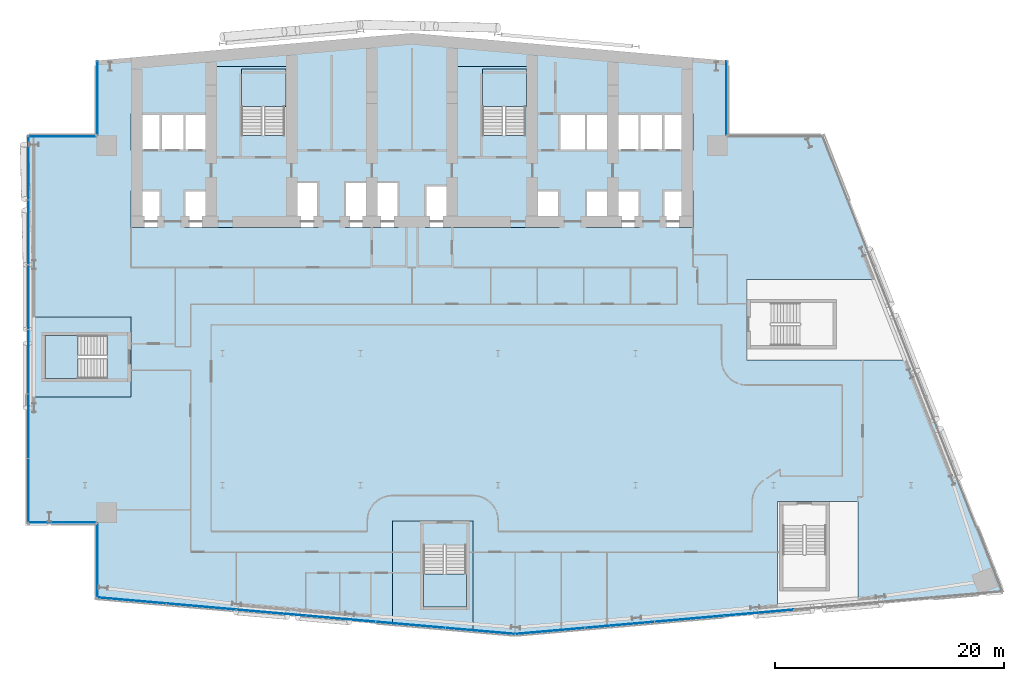
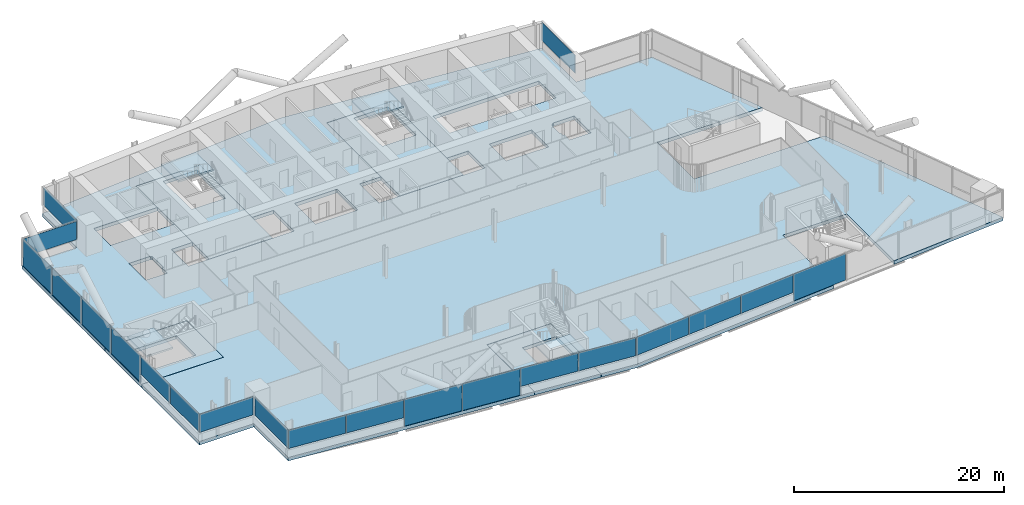
# One storey, part 12 of 31: 21 plates, 9 slabs, 12 elements without a shape of their own.
"""IFC4 building model written with IfcOpenShell, lengths in metres."""

from ifc_helpers import new_model, si_unit, direction, frame, origin, origin_2d, place, context, subcontext, project, spatial, polyline, rectangle, outline, extrude, material, layer, layer_set, type_object, element, aggregate, save


model = new_model("IFC4")

# Units and contexts
model_context = context("Model", 3, precision=1e-05, world=origin(), true_north=direction((0.0, 1.0)))
body_context = subcontext(model_context, "Body", "Model", "MODEL_VIEW")
ifc_project = project(units=[si_unit("LENGTHUNIT", "METRE"), si_unit("AREAUNIT", "SQUARE_METRE"), si_unit("VOLUMEUNIT", "CUBIC_METRE"), si_unit("PLANEANGLEUNIT", "RADIAN"), si_unit("MASSUNIT", "GRAM", prefix="KILO")], contexts=[model_context])

# Site, building, storey
site_placement = place(None, origin())
site = spatial("IfcSite", under=ifc_project, at=site_placement, CompositionType="ELEMENT")
building_placement = place(site_placement, origin())
building = spatial("IfcBuilding", under=site, at=building_placement, Name="Wharfspan Tower", CompositionType="ELEMENT")
storey_placement = place(building_placement, frame((0.0, 0.0, 103.899902)))
storey = spatial("IfcBuildingStorey", under=building, at=storey_placement, Name="L23", CompositionType="ELEMENT", Elevation=103.899902)

# Curtain wall, plates
ifc_material_1 = material(Name="Aluminium 6063-T6", Category="aluminium")
curtain_wall_type_1 = type_object("IfcCurtainWallType", Name="CURTAIN WALL FACETED FRONT", PredefinedType="NOTDEFINED", material=ifc_material_1)
curtain_wall_1_placement = place(storey_placement, origin())
curtain_wall_1 = element("IfcCurtainWall", 1, at=curtain_wall_1_placement, inside=storey, type_object=curtain_wall_type_1, Name="Curtain wall S1", PredefinedType="NOTDEFINED")
ifc_material_2 = material(Name="Glass clear low-iron double glazing", Category="glass")
ifc_layer_1 = layer(ifc_material_2, 0.040039)
ifc_layer_set_1 = layer_set([ifc_layer_1], Name="Glass clear low-iron double glazing")
plate_type_1 = type_object("IfcPlateType", Name="GLASS PANEL FACETED FRONT 40", PredefinedType="CURTAIN_PANEL", material=ifc_layer_set_1)
plate_1_placement = place(storey_placement, frame((16.061768, 1.467529, 1.0), z_axis=(0.0, 0.0, 1.0), x_axis=(0.996198, -0.087156, 0.0)))
plate_1 = element("IfcPlate", 2, at=plate_1_placement, type_object=plate_type_1, Name="Curtain wall S1 panel 1", PredefinedType="CURTAIN_PANEL", context=body_context, shape_type="SweptSolid", body=[
    extrude(rectangle(XDim=6.016602, YDim=0.040039, at=origin_2d()), origin(), (0.0, 0.0, 1.0), 2.120117),
])
plate_2_placement = place(storey_placement, frame((22.130127, 0.936523, 1.0), z_axis=(0.0, 0.0, 1.0), x_axis=(0.996198, -0.087156, 0.0)))
plate_2 = element("IfcPlate", 3, at=plate_2_placement, type_object=plate_type_1, Name="Curtain wall S1 panel 2", PredefinedType="CURTAIN_PANEL", context=body_context, shape_type="SweptSolid", body=[
    extrude(rectangle(XDim=6.046631, YDim=0.040039, at=origin_2d()), origin(), (0.0, 0.0, 1.0), 2.120117),
])
plate_3_placement = place(storey_placement, frame((40.380127, -0.660156, 1.0), z_axis=(0.0, 0.0, 1.0), x_axis=(0.996198, -0.087156, 0.0)))
plate_3 = element("IfcPlate", 4, at=plate_3_placement, type_object=plate_type_1, Name="Curtain wall S1 panel 5", PredefinedType="CURTAIN_PANEL", context=body_context, shape_type="SweptSolid", body=[
    extrude(rectangle(XDim=6.046631, YDim=0.040039, at=origin_2d()), origin(), (0.0, 0.0, 1.0), 2.120117),
])
plate_4_placement = place(storey_placement, frame((46.44873, -1.191162, 1.0), z_axis=(0.0, 0.0, 1.0), x_axis=(0.996198, -0.087156, 0.0)))
plate_4 = element("IfcPlate", 5, at=plate_4_placement, type_object=plate_type_1, Name="Curtain wall S1 panel 6", PredefinedType="CURTAIN_PANEL", context=body_context, shape_type="SweptSolid", body=[
    extrude(rectangle(XDim=6.016602, YDim=0.040039, at=origin_2d()), origin(), (0.0, 0.0, 1.0), 2.120117),
])

curtain_wall_2_placement = place(storey_placement, origin())
curtain_wall_2 = element("IfcCurtainWall", 6, at=curtain_wall_2_placement, inside=storey, type_object=curtain_wall_type_1, Name="Curtain wall S2", PredefinedType="NOTDEFINED")
plate_5_placement = place(storey_placement, frame((52.54541, -1.19165, 1.0), z_axis=(0.0, 0.0, 1.0), x_axis=(0.996198, 0.087156, 0.0)))
plate_5 = element("IfcPlate", 7, at=plate_5_placement, type_object=plate_type_1, Name="Curtain wall S2 panel 1", PredefinedType="CURTAIN_PANEL", context=body_context, shape_type="SweptSolid", body=[
    extrude(rectangle(XDim=6.004639, YDim=0.040039, at=origin_2d()), origin(), (0.0, 0.0, 1.0), 2.120117),
])
plate_6_placement = place(storey_placement, frame((58.601807, -0.661621, 1.0), z_axis=(0.0, 0.0, 1.0), x_axis=(0.996198, 0.087156, 0.0)))
plate_6 = element("IfcPlate", 8, at=plate_6_placement, type_object=plate_type_1, Name="Curtain wall S2 panel 2", PredefinedType="CURTAIN_PANEL", context=body_context, shape_type="SweptSolid", body=[
    extrude(rectangle(XDim=6.034668, YDim=0.040039, at=origin_2d()), origin(), (0.0, 0.0, 1.0), 2.120117),
])
plate_7_placement = place(storey_placement, frame((64.67334, -0.130615, 1.0), z_axis=(0.0, 0.0, 1.0), x_axis=(0.996198, 0.087156, 0.0)))
plate_7 = element("IfcPlate", 9, at=plate_7_placement, type_object=plate_type_1, Name="Curtain wall S2 panel 3", PredefinedType="CURTAIN_PANEL", context=body_context, shape_type="SweptSolid", body=[
    extrude(rectangle(XDim=6.034668, YDim=0.040039, at=origin_2d()), origin(), (0.0, 0.0, 1.0), 2.120117),
])

# Curtain wall, plate
curtain_wall_type_2 = type_object("IfcCurtainWallType", Name="CURTAIN WALL PROW AND END", PredefinedType="NOTDEFINED", material=ifc_material_1)
curtain_wall_3_placement = place(storey_placement, origin())
curtain_wall_3 = element("IfcCurtainWall", 10, at=curtain_wall_3_placement, inside=storey, type_object=curtain_wall_type_2, Name="Curtain wall NRE-V", PredefinedType="NOTDEFINED")
ifc_layer_2 = layer(ifc_material_2, 0.040039)
ifc_layer_set_2 = layer_set([ifc_layer_2], Name="Glass clear low-iron double glazing")
plate_type_2 = type_object("IfcPlateType", Name="GLASS PANEL PROW AND END 40", PredefinedType="CURTAIN_PANEL", material=ifc_layer_set_2)
plate_8_placement = place(storey_placement, frame((67.919922, 45.262451, 1.0), z_axis=(0.0, 0.0, 1.0), x_axis=(0.0, 1.0, 0.0)))
plate_8 = element("IfcPlate", 11, at=plate_8_placement, type_object=plate_type_2, Name="Curtain wall NRE-V panel 1", PredefinedType="CURTAIN_PANEL", context=body_context, shape_type="SweptSolid", body=[
    extrude(rectangle(XDim=6.405029, YDim=0.040039, at=origin_2d()), origin(), (0.0, 0.0, 1.0), 2.120117),
])
aggregate(curtain_wall_3, [plate_8])

curtain_wall_4_placement = place(storey_placement, origin())
curtain_wall_4 = element("IfcCurtainWall", 12, at=curtain_wall_4_placement, inside=storey, type_object=curtain_wall_type_2, Name="Curtain wall NRW-V", PredefinedType="NOTDEFINED")
plate_9_placement = place(storey_placement, frame((13.080078, 45.262451, 1.0), z_axis=(0.0, 0.0, 1.0), x_axis=(0.0, -1.0, 0.0)))
plate_9 = element("IfcPlate", 13, at=plate_9_placement, type_object=plate_type_2, Name="Curtain wall NRW-V panel 1", PredefinedType="CURTAIN_PANEL", context=body_context, shape_type="SweptSolid", body=[
    extrude(rectangle(XDim=6.405029, YDim=0.040039, at=origin_2d()), origin(), (0.0, 0.0, 1.0), 2.120117),
])
aggregate(curtain_wall_4, [plate_9])

curtain_wall_5_placement = place(storey_placement, origin())
curtain_wall_5 = element("IfcCurtainWall", 14, at=curtain_wall_5_placement, inside=storey, type_object=curtain_wall_type_2, Name="Curtain wall NRW-H", PredefinedType="NOTDEFINED")
plate_10_placement = place(storey_placement, frame((10.0, 41.919922, 1.0), z_axis=(0.0, 0.0, 1.0), x_axis=(-1.0, 0.0, 0.0)))
plate_10 = element("IfcPlate", 15, at=plate_10_placement, type_object=plate_type_2, Name="Curtain wall NRW-H panel 1", PredefinedType="CURTAIN_PANEL", context=body_context, shape_type="SweptSolid", body=[
    extrude(rectangle(XDim=5.879883, YDim=0.040039, at=origin_2d()), origin(), (0.0, 0.0, 1.0), 2.120117),
])
aggregate(curtain_wall_5, [plate_10])

# Curtain wall, plates
curtain_wall_6_placement = place(storey_placement, origin())
curtain_wall_6 = element("IfcCurtainWall", 16, at=curtain_wall_6_placement, inside=storey, type_object=curtain_wall_type_2, Name="Curtain wall W", PredefinedType="NOTDEFINED")
plate_11_placement = place(storey_placement, frame((7.080078, 16.649902, 1.0), z_axis=(0.0, 0.0, 1.0), x_axis=(0.0, -1.0, 0.0)))
plate_11 = element("IfcPlate", 17, at=plate_11_placement, type_object=plate_type_2, Name="Curtain wall W panel 5", PredefinedType="CURTAIN_PANEL", context=body_context, shape_type="SweptSolid", body=[
    extrude(rectangle(XDim=5.573242, YDim=0.040039, at=origin_2d()), origin(), (0.0, 0.0, 1.0), 2.120117),
])
plate_12_placement = place(storey_placement, frame((7.080078, 11.031738, 1.0), z_axis=(0.0, 0.0, 1.0), x_axis=(0.0, -1.0, 0.0)))
plate_12 = element("IfcPlate", 18, at=plate_12_placement, type_object=plate_type_2, Name="Curtain wall W panel 6", PredefinedType="CURTAIN_PANEL", context=body_context, shape_type="SweptSolid", body=[
    extrude(rectangle(XDim=5.543213, YDim=0.040039, at=origin_2d()), origin(), (0.0, 0.0, 1.0), 2.120117),
])

# Curtain wall, plate
curtain_wall_7_placement = place(storey_placement, origin())
curtain_wall_7 = element("IfcCurtainWall", 19, at=curtain_wall_7_placement, inside=storey, type_object=curtain_wall_type_2, Name="Curtain wall NFW-H", PredefinedType="NOTDEFINED")
plate_13_placement = place(storey_placement, frame((10.0, 8.280029, 1.0), z_axis=(0.0, 0.0, 1.0), x_axis=(1.0, 0.0, 0.0)))
plate_13 = element("IfcPlate", 20, at=plate_13_placement, type_object=plate_type_2, Name="Curtain wall NFW-H panel 1", PredefinedType="CURTAIN_PANEL", context=body_context, shape_type="SweptSolid", body=[
    extrude(rectangle(XDim=5.879883, YDim=0.040039, at=origin_2d()), origin(), (0.0, 0.0, 1.0), 2.120117),
])
aggregate(curtain_wall_7, [plate_13])

curtain_wall_8_placement = place(storey_placement, origin())
curtain_wall_8 = element("IfcCurtainWall", 21, at=curtain_wall_8_placement, inside=storey, type_object=curtain_wall_type_2, Name="Curtain wall NFW-V", PredefinedType="NOTDEFINED")
plate_14_placement = place(storey_placement, frame((13.080078, 4.9375, 1.0), z_axis=(0.0, 0.0, 1.0), x_axis=(0.0, -1.0, 0.0)))
plate_14 = element("IfcPlate", 22, at=plate_14_placement, type_object=plate_type_2, Name="Curtain wall NFW-V panel 1", PredefinedType="CURTAIN_PANEL", context=body_context, shape_type="SweptSolid", body=[
    extrude(rectangle(XDim=6.405029, YDim=0.040039, at=origin_2d()), origin(), (0.0, 0.0, 1.0), 2.120117),
])
aggregate(curtain_wall_8, [plate_14])

# Plate
ifc_material_3 = material(Name="Aluminium composite opaque insulated panel", Category="aluminium")
ifc_layer_3 = layer(ifc_material_3, 0.040039)
ifc_layer_set_3 = layer_set([ifc_layer_3], Name="Aluminium composite opaque insulated panel")
plate_type_3 = type_object("IfcPlateType", Name="INFILL PANEL FACETED FRONT OPAQUE 40", PredefinedType="SHEET", material=ifc_layer_set_3)
plate_15_placement = place(storey_placement, frame((28.213623, 0.404297, 0.0), z_axis=(0.0, 0.0, 1.0), x_axis=(0.996198, -0.087156, 0.0)))
plate_15 = element("IfcPlate", 23, at=plate_15_placement, type_object=plate_type_3, Name="Curtain wall S1 panel 3", PredefinedType="SHEET", context=body_context, shape_type="SweptSolid", body=[
    extrude(rectangle(XDim=6.046631, YDim=0.040039, at=origin_2d()), origin(), (0.0, 0.0, 1.0), 3.120117),
])

plate_16_placement = place(storey_placement, frame((34.296875, -0.12793, 0.0), z_axis=(0.0, 0.0, 1.0), x_axis=(0.996198, -0.087156, 0.0)))
plate_16 = element("IfcPlate", 24, at=plate_16_placement, type_object=plate_type_3, Name="Curtain wall S1 panel 4", PredefinedType="SHEET", context=body_context, shape_type="SweptSolid", body=[
    extrude(rectangle(XDim=6.046631, YDim=0.040039, at=origin_2d()), origin(), (0.0, 0.0, 1.0), 3.120117),
])

aggregate(curtain_wall_1, [plate_1, plate_2, plate_15, plate_16, plate_3, plate_4])

plate_17_placement = place(storey_placement, frame((70.744873, 0.400635, 0.0), z_axis=(0.0, 0.0, 1.0), x_axis=(0.996198, 0.087156, 0.0)))
plate_17 = element("IfcPlate", 25, at=plate_17_placement, type_object=plate_type_3, Name="Curtain wall S2 panel 4", PredefinedType="SHEET", context=body_context, shape_type="SweptSolid", body=[
    extrude(rectangle(XDim=6.034668, YDim=0.040039, at=origin_2d()), origin(), (0.0, 0.0, 1.0), 3.120117),
])

aggregate(curtain_wall_2, [plate_5, plate_6, plate_7, plate_17])

ifc_layer_4 = layer(ifc_material_3, 0.040039)
ifc_layer_set_4 = layer_set([ifc_layer_4], Name="Aluminium composite opaque insulated panel")
plate_type_4 = type_object("IfcPlateType", Name="INFILL PANEL PROW AND END OPAQUE 40", PredefinedType="SHEET", material=ifc_layer_set_4)
plate_18_placement = place(storey_placement, frame((7.080078, 39.168213, 0.0), z_axis=(0.0, 0.0, 1.0), x_axis=(0.0, -1.0, 0.0)))
plate_18 = element("IfcPlate", 26, at=plate_18_placement, type_object=plate_type_4, Name="Curtain wall W panel 1", PredefinedType="SHEET", context=body_context, shape_type="SweptSolid", body=[
    extrude(rectangle(XDim=5.543213, YDim=0.040039, at=origin_2d()), origin(), (0.0, 0.0, 1.0), 3.120117),
])

plate_19_placement = place(storey_placement, frame((7.080078, 33.550049, 0.0), z_axis=(0.0, 0.0, 1.0), x_axis=(0.0, -1.0, 0.0)))
plate_19 = element("IfcPlate", 27, at=plate_19_placement, type_object=plate_type_4, Name="Curtain wall W panel 2", PredefinedType="SHEET", context=body_context, shape_type="SweptSolid", body=[
    extrude(rectangle(XDim=5.573242, YDim=0.040039, at=origin_2d()), origin(), (0.0, 0.0, 1.0), 3.120117),
])

plate_20_placement = place(storey_placement, frame((7.080078, 27.916748, 0.0), z_axis=(0.0, 0.0, 1.0), x_axis=(0.0, -1.0, 0.0)))
plate_20 = element("IfcPlate", 28, at=plate_20_placement, type_object=plate_type_4, Name="Curtain wall W panel 3", PredefinedType="SHEET", context=body_context, shape_type="SweptSolid", body=[
    extrude(rectangle(XDim=5.573242, YDim=0.040039, at=origin_2d()), origin(), (0.0, 0.0, 1.0), 3.120117),
])

plate_21_placement = place(storey_placement, frame((7.080078, 22.283447, 0.0), z_axis=(0.0, 0.0, 1.0), x_axis=(0.0, -1.0, 0.0)))
plate_21 = element("IfcPlate", 29, at=plate_21_placement, type_object=plate_type_4, Name="Curtain wall W panel 4", PredefinedType="SHEET", context=body_context, shape_type="SweptSolid", body=[
    extrude(rectangle(XDim=5.573242, YDim=0.040039, at=origin_2d()), origin(), (0.0, 0.0, 1.0), 3.120117),
])

aggregate(curtain_wall_6, [plate_18, plate_19, plate_20, plate_21, plate_11, plate_12])

# Slabs
ifc_material_4 = material(Name="Concrete C40/50", Category="concrete")
ifc_layer_5 = layer(ifc_material_4, 0.399902)
ifc_layer_set_5 = layer_set([ifc_layer_5], Name="Concrete C40/50")
slab_type_1 = type_object("IfcSlabType", Name="Post-tensioned flat slab 400", PredefinedType="FLOOR", material=ifc_layer_set_5)
slab_1_placement = place(storey_placement, frame((0.0, 0.0, -0.400146)))
element("IfcSlab", 30, at=slab_1_placement, inside=storey, type_object=slab_type_1, Name="Floor slab L23", PredefinedType="FLOOR", context=body_context, shape_type="SweptSolid", body=[
    extrude(outline(polyline([(38.800293, -0.582275), (38.800293, 8.427002), (45.820312, 8.427002), (45.820312, -1.196289), (49.5, -1.518311), (72.355957, 0.481445), (72.355957, 10.104736), (79.375977, 10.104736), (79.375977, 1.095459), (92.0, 2.199951), (84.04541, 22.439941), (69.68042, 22.439941), (69.68042, 29.459961), (81.286621, 29.459961), (76.358154, 42.0), (68.0, 42.0), (68.0, 48.524902), (40.5, 50.930908), (13.0, 48.524902), (13.0, 42.0), (7.0, 42.0), (7.0, 26.209961), (16.01001, 26.209961), (16.01001, 19.189941), (7.0, 19.189941), (7.0, 8.199951), (13.0, 8.199951), (13.0, 1.675049), (38.800293, -0.582275)]), holes=[polyline([(62.48999, 35.389893), (62.36499, 35.389893), (62.36499, 36.909912), (62.48999, 36.909912), (62.48999, 37.110107), (62.656738, 37.110107), (62.656738, 37.209961), (65.01001, 37.209961), (65.01001, 33.98999), (62.656738, 33.98999), (62.656738, 34.98999), (62.48999, 34.98999), (62.48999, 35.389893)]), polyline([(65.01001, 43.909912), (65.01001, 40.689941), (53.323242, 40.689941), (53.323242, 43.909912), (65.01001, 43.909912)]), polyline([(55.656738, 33.98999), (55.656738, 37.209961), (60.343262, 37.209961), (60.343262, 33.98999), (55.656738, 33.98999)]), polyline([(43.98999, 37.659912), (43.98999, 48.01001), (51.01001, 48.01001), (51.01001, 37.209961), (53.343262, 37.209961), (53.343262, 33.98999), (41.656738, 33.98999), (41.656738, 37.659912), (43.98999, 37.659912)]), polyline([(34.656738, 33.98999), (34.656738, 37.959961), (39.343262, 37.959961), (39.343262, 33.98999), (34.656738, 33.98999)]), polyline([(20.656738, 37.209961), (22.98999, 37.209961), (22.98999, 40.689941), (20.676758, 40.689941), (20.656738, 40.689941), (15.98999, 40.689941), (15.98999, 43.909912), (20.656738, 43.909912), (20.676758, 43.909912), (22.98999, 43.909912), (22.98999, 48.01001), (30.01001, 48.01001), (30.01001, 37.959961), (32.343262, 37.959961), (32.343262, 33.98999), (20.656738, 33.98999), (20.656738, 37.209961)]), polyline([(18.51001, 34.98999), (18.343262, 34.98999), (18.343262, 33.98999), (15.98999, 33.98999), (15.98999, 37.209961), (18.343262, 37.209961), (18.343262, 37.110107), (18.51001, 37.110107), (18.51001, 34.98999)])]), origin(), (0.0, 0.0, 1.0), 0.400146),
])
slab_2_placement = place(storey_placement, frame((0.0, 0.0, -0.400146)))
element("IfcSlab", 31, at=slab_2_placement, inside=storey, type_object=slab_type_1, Name="Core floor slab L23 part 1", PredefinedType="FLOOR", context=body_context, shape_type="SweptSolid", body=[
    extrude(outline(polyline([(16.0, 20.524902), (16.0, 24.875), (16.0, 26.199951), (7.0, 26.199951), (7.0, 19.199951), (16.0, 19.199951), (16.0, 20.524902)]), holes=[polyline([(13.9021, 20.824951), (13.9021, 20.824707), (13.9021, 20.824707), (13.901855, 20.824463), (13.901855, 20.824219), (13.901855, 20.824219), (13.901611, 20.823975), (13.901611, 20.82373), (13.901367, 20.823486), (13.901367, 20.823486), (13.901123, 20.823242), (13.900879, 20.823242), (13.900879, 20.823242), (13.900635, 20.822998), (13.900391, 20.822998), (13.900146, 20.822998), (13.899902, 20.822998), (8.5, 20.822998), (8.499756, 20.822998), (8.499512, 20.822998), (8.499512, 20.822998), (8.499268, 20.823242), (8.499023, 20.823242), (8.498779, 20.823242), (8.498779, 20.823486), (8.498535, 20.823486), (8.498535, 20.82373), (8.498291, 20.823975), (8.498291, 20.824219), (8.498291, 20.824219), (8.498047, 20.824463), (8.498047, 20.824707), (8.498047, 20.824707), (8.498047, 20.824951), (8.498047, 24.574951), (8.498047, 24.575195), (8.498047, 24.575439), (8.498047, 24.575684), (8.498291, 24.575684), (8.498291, 24.575928), (8.498291, 24.576172), (8.498535, 24.576416), (8.498535, 24.576416), (8.498779, 24.576416), (8.498779, 24.57666), (8.499023, 24.576904), (8.499268, 24.576904), (8.499512, 24.576904), (8.499512, 24.576904), (8.499756, 24.576904), (8.5, 24.576904), (13.899902, 24.576904), (13.900146, 24.576904), (13.900391, 24.576904), (13.900635, 24.576904), (13.900879, 24.576904), (13.900879, 24.576904), (13.901123, 24.57666), (13.901367, 24.576416), (13.901367, 24.576416), (13.901611, 24.576416), (13.901611, 24.576172), (13.901855, 24.575928), (13.901855, 24.575684), (13.901855, 24.575684), (13.9021, 24.575439), (13.9021, 24.575195), (13.9021, 24.574951), (13.9021, 20.824951)])]), origin(), (0.0, 0.0, 1.0), 0.400146),
])
slab_3_placement = place(storey_placement, frame((0.0, 0.0, -0.400146)))
element("IfcSlab", 32, at=slab_3_placement, inside=storey, type_object=slab_type_1, Name="Core floor slab L23 part 2", PredefinedType="FLOOR", context=body_context, shape_type="SweptSolid", body=[
    extrude(outline(polyline([(20.664795, 34.0), (20.664795, 37.199951), (20.664795, 37.200195), (20.664795, 37.200439), (20.664795, 37.200684), (20.664795, 37.200684), (20.664795, 37.200928), (20.665039, 37.201172), (20.665039, 37.201416), (20.665283, 37.201416), (20.665283, 37.201416), (20.665527, 37.20166), (20.665771, 37.201904), (20.666016, 37.201904), (20.666016, 37.201904), (20.66626, 37.201904), (20.666504, 37.201904), (20.666748, 37.201904), (23.0, 37.201904), (23.000244, 37.201904), (23.000488, 37.201904), (23.000488, 37.201904), (23.000732, 37.201904), (23.000977, 37.201904), (23.001221, 37.20166), (23.001221, 37.201416), (23.001465, 37.201416), (23.001465, 37.201416), (23.001709, 37.201172), (23.001709, 37.200928), (23.001709, 37.200684), (23.001953, 37.200684), (23.001953, 37.200439), (23.001953, 37.200195), (23.001953, 37.199951), (23.001953, 34.0), (29.998047, 34.0), (29.998047, 37.949951), (29.998047, 37.950195), (29.998047, 37.950439), (29.998047, 37.950684), (29.998291, 37.950684), (29.998291, 37.950928), (29.998291, 37.951172), (29.998535, 37.951416), (29.998535, 37.951416), (29.998779, 37.951416), (29.998779, 37.95166), (29.999023, 37.951904), (29.999268, 37.951904), (29.999512, 37.951904), (29.999512, 37.951904), (29.999756, 37.951904), (30.0, 37.951904), (32.333252, 37.951904), (32.333496, 37.951904), (32.33374, 37.951904), (32.333984, 37.951904), (32.333984, 37.951904), (32.334229, 37.951904), (32.334473, 37.95166), (32.334717, 37.951416), (32.334717, 37.951416), (32.334961, 37.951416), (32.334961, 37.951172), (32.335205, 37.950928), (32.335205, 37.950684), (32.335205, 37.950684), (32.335205, 37.950439), (32.335205, 37.950195), (32.335205, 37.949951), (32.335205, 34.0), (32.341309, 34.0), (32.341309, 37.958008), (30.01001, 37.958008), (30.009766, 37.958008), (30.009521, 37.958008), (30.009521, 37.958008), (30.009277, 37.958252), (30.009033, 37.958252), (30.008789, 37.958252), (30.008789, 37.958496), (30.008545, 37.958496), (30.008545, 37.95874), (30.008301, 37.958984), (30.008301, 37.958984), (30.008301, 37.959229), (30.008057, 37.959473), (30.008057, 37.959717), (30.008057, 37.959717), (30.008057, 37.959961), (30.008057, 48.008057), (22.991943, 48.008057), (22.991943, 43.909912), (22.991943, 43.909912), (22.991943, 43.909668), (22.991943, 43.909424), (22.991699, 43.90918), (22.991699, 43.90918), (22.991699, 43.908936), (22.991455, 43.908691), (22.991455, 43.908691), (22.991211, 43.908447), (22.991211, 43.908203), (22.990967, 43.908203), (22.990723, 43.908203), (22.990479, 43.908203), (22.990479, 43.907959), (22.990234, 43.907959), (22.98999, 43.907959), (16.0, 43.907959), (16.0, 43.9021), (20.666748, 43.9021), (20.666748, 43.9021), (23.0, 43.9021), (23.000244, 43.9021), (23.000488, 43.9021), (23.000488, 43.901855), (23.000732, 43.901855), (23.000977, 43.901855), (23.001221, 43.901611), (23.001221, 43.901611), (23.001465, 43.901367), (23.001465, 43.901367), (23.001709, 43.901123), (23.001709, 43.900879), (23.001709, 43.900879), (23.001953, 43.900635), (23.001953, 43.900391), (23.001953, 43.900146), (23.001953, 43.899902), (23.001953, 40.699951), (23.001953, 40.699707), (23.001953, 40.699707), (23.001953, 40.699463), (23.001709, 40.699219), (23.001709, 40.699219), (23.001709, 40.698975), (23.001465, 40.69873), (23.001465, 40.698486), (23.001221, 40.698486), (23.001221, 40.698242), (23.000977, 40.698242), (23.000732, 40.698242), (23.000488, 40.697998), (23.000488, 40.697998), (23.000244, 40.697998), (23.0, 40.697998), (20.666748, 40.697998), (20.666748, 40.697998), (16.0, 40.697998), (16.0, 40.691895), (22.98999, 40.691895), (22.990234, 40.691895), (22.990479, 40.691895), (22.990479, 40.691895), (22.990723, 40.691895), (22.990967, 40.691895), (22.991211, 40.69165), (22.991211, 40.691406), (22.991455, 40.691406), (22.991455, 40.691406), (22.991699, 40.691162), (22.991699, 40.690918), (22.991699, 40.690918), (22.991943, 40.690674), (22.991943, 40.69043), (22.991943, 40.690186), (22.991943, 40.689941), (22.991943, 37.209961), (22.991943, 37.209717), (22.991943, 37.209717), (22.991943, 37.209473), (22.991699, 37.209229), (22.991699, 37.208984), (22.991699, 37.208984), (22.991455, 37.20874), (22.991455, 37.208496), (22.991211, 37.208496), (22.991211, 37.208252), (22.990967, 37.208252), (22.990723, 37.208252), (22.990479, 37.208008), (22.990479, 37.208008), (22.990234, 37.208008), (22.98999, 37.208008), (20.658691, 37.208008), (20.658691, 34.0), (20.664795, 34.0)]), holes=[polyline([(25.649902, 41.998047), (25.649902, 41.998047), (25.649658, 41.998047), (25.649414, 41.998047), (25.64917, 41.998291), (25.64917, 41.998291), (25.648926, 41.998291), (25.648682, 41.998535), (25.648682, 41.998535), (25.648438, 41.998779), (25.648193, 41.998779), (25.648193, 41.999023), (25.648193, 41.999268), (25.648193, 41.999512), (25.647949, 41.999512), (25.647949, 41.999756), (25.647949, 42.0), (25.647949, 47.399902), (25.647949, 47.400146), (25.647949, 47.400391), (25.648193, 47.400635), (25.648193, 47.400879), (25.648193, 47.400879), (25.648193, 47.401123), (25.648438, 47.401367), (25.648682, 47.401367), (25.648682, 47.401611), (25.648926, 47.401611), (25.64917, 47.401855), (25.64917, 47.401855), (25.649414, 47.401855), (25.649658, 47.4021), (25.649902, 47.4021), (25.649902, 47.4021), (29.399902, 47.4021), (29.400146, 47.4021), (29.400391, 47.4021), (29.400635, 47.401855), (29.400879, 47.401855), (29.400879, 47.401855), (29.401123, 47.401611), (29.401367, 47.401611), (29.401367, 47.401367), (29.401611, 47.401367), (29.401611, 47.401123), (29.401855, 47.400879), (29.401855, 47.400879), (29.401855, 47.400635), (29.4021, 47.400391), (29.4021, 47.400146), (29.4021, 47.399902), (29.4021, 42.0), (29.4021, 41.999756), (29.4021, 41.999512), (29.401855, 41.999512), (29.401855, 41.999268), (29.401855, 41.999023), (29.401611, 41.998779), (29.401611, 41.998779), (29.401367, 41.998535), (29.401367, 41.998535), (29.401123, 41.998291), (29.400879, 41.998291), (29.400879, 41.998291), (29.400635, 41.998047), (29.400391, 41.998047), (29.400146, 41.998047), (29.399902, 41.998047), (25.649902, 41.998047)])]), origin(), (0.0, 0.0, 1.0), 0.400146),
])
slab_4_placement = place(storey_placement, frame((0.0, 0.0, -0.400146)))
element("IfcSlab", 33, at=slab_4_placement, inside=storey, type_object=slab_type_1, Name="Core floor slab L23 part 3", PredefinedType="FLOOR", context=body_context, shape_type="SweptSolid", body=[
    extrude(outline(polyline([(45.5354, 8.416992), (41.185303, 8.416992), (38.810303, 8.416992), (38.810303, -0.583008), (45.810303, -1.195557), (45.810303, 8.416992), (45.5354, 8.416992)]), holes=[polyline([(41.483398, 6.316895), (41.483398, 6.317139), (41.483398, 6.317383), (41.483398, 6.317383), (41.483398, 6.317627), (41.483398, 6.317871), (41.483643, 6.318115), (41.483643, 6.318115), (41.483887, 6.318359), (41.483887, 6.318604), (41.484131, 6.318604), (41.484375, 6.318604), (41.484619, 6.318848), (41.484619, 6.318848), (41.484863, 6.318848), (41.485107, 6.319092), (41.485352, 6.319092), (45.235352, 6.319092), (45.235596, 6.319092), (45.235596, 6.318848), (45.23584, 6.318848), (45.236084, 6.318848), (45.236084, 6.318604), (45.236328, 6.318604), (45.236572, 6.318604), (45.236816, 6.318359), (45.236816, 6.318115), (45.236816, 6.318115), (45.237061, 6.317871), (45.237061, 6.317627), (45.237305, 6.317383), (45.237305, 6.317383), (45.237305, 6.317139), (45.237305, 6.316895), (45.237305, 0.916992), (45.237305, 0.916748), (45.237305, 0.916504), (45.237305, 0.916504), (45.237061, 0.91626), (45.237061, 0.916016), (45.236816, 0.916016), (45.236816, 0.915771), (45.236816, 0.915527), (45.236572, 0.915283), (45.236328, 0.915283), (45.236084, 0.915283), (45.236084, 0.915039), (45.23584, 0.915039), (45.235596, 0.915039), (45.235596, 0.915039), (45.235352, 0.915039), (41.485352, 0.915039), (41.485107, 0.915039), (41.484863, 0.915039), (41.484619, 0.915039), (41.484619, 0.915039), (41.484375, 0.915283), (41.484131, 0.915283), (41.483887, 0.915283), (41.483887, 0.915527), (41.483643, 0.915771), (41.483643, 0.916016), (41.483398, 0.916016), (41.483398, 0.91626), (41.483398, 0.916504), (41.483398, 0.916504), (41.483398, 0.916748), (41.483398, 0.916992), (41.483398, 6.316895)])]), origin(), (0.0, 0.0, 1.0), 0.400146),
])
slab_5_placement = place(storey_placement, frame((0.0, 0.0, -0.400146)))
element("IfcSlab", 34, at=slab_5_placement, inside=storey, type_object=slab_type_1, Name="Core floor slab L23 part 4", PredefinedType="FLOOR", context=body_context, shape_type="SweptSolid", body=[
    extrude(outline(polyline([(53.341309, 34.0), (53.341309, 37.208008), (51.01001, 37.208008), (51.009766, 37.208008), (51.009521, 37.208008), (51.009521, 37.208008), (51.009277, 37.208252), (51.009033, 37.208252), (51.008789, 37.208252), (51.008789, 37.208496), (51.008545, 37.208496), (51.008545, 37.20874), (51.008301, 37.208984), (51.008301, 37.208984), (51.008301, 37.209229), (51.008057, 37.209473), (51.008057, 37.209717), (51.008057, 37.209717), (51.008057, 37.209961), (51.008057, 48.008057), (43.991943, 48.008057), (43.991943, 37.659912), (43.991943, 37.659912), (43.991943, 37.659668), (43.991943, 37.659424), (43.991699, 37.65918), (43.991699, 37.65918), (43.991699, 37.658936), (43.991455, 37.658691), (43.991455, 37.658691), (43.991211, 37.658447), (43.991211, 37.658203), (43.990967, 37.658203), (43.990723, 37.658203), (43.990479, 37.658203), (43.990479, 37.657959), (43.990234, 37.657959), (43.98999, 37.657959), (41.658691, 37.657959), (41.658691, 34.0), (41.664795, 34.0), (41.664795, 37.649902), (41.664795, 37.650146), (41.664795, 37.650391), (41.664795, 37.650635), (41.664795, 37.650879), (41.664795, 37.650879), (41.665039, 37.651123), (41.665039, 37.651367), (41.665283, 37.651367), (41.665283, 37.651611), (41.665527, 37.651611), (41.665771, 37.651855), (41.666016, 37.651855), (41.666016, 37.651855), (41.66626, 37.6521), (41.666504, 37.6521), (41.666748, 37.6521), (44.0, 37.6521), (44.000244, 37.6521), (44.000488, 37.6521), (44.000488, 37.651855), (44.000732, 37.651855), (44.000977, 37.651855), (44.001221, 37.651611), (44.001221, 37.651611), (44.001465, 37.651367), (44.001465, 37.651367), (44.001709, 37.651123), (44.001709, 37.650879), (44.001709, 37.650879), (44.001953, 37.650635), (44.001953, 37.650391), (44.001953, 37.650146), (44.001953, 37.649902), (44.001953, 34.0), (50.998047, 34.0), (50.998047, 37.199951), (50.998047, 37.200195), (50.998047, 37.200439), (50.998047, 37.200684), (50.998291, 37.200684), (50.998291, 37.200928), (50.998291, 37.201172), (50.998535, 37.201416), (50.998535, 37.201416), (50.998779, 37.201416), (50.998779, 37.20166), (50.999023, 37.201904), (50.999268, 37.201904), (50.999512, 37.201904), (50.999512, 37.201904), (50.999756, 37.201904), (51.0, 37.201904), (53.333252, 37.201904), (53.333496, 37.201904), (53.33374, 37.201904), (53.333984, 37.201904), (53.333984, 37.201904), (53.334229, 37.201904), (53.334473, 37.20166), (53.334717, 37.201416), (53.334717, 37.201416), (53.334961, 37.201416), (53.334961, 37.201172), (53.335205, 37.200928), (53.335205, 37.200684), (53.335205, 37.200684), (53.335205, 37.200439), (53.335205, 37.200195), (53.335205, 37.199951), (53.335205, 34.0), (53.341309, 34.0)]), holes=[polyline([(50.4021, 42.0), (50.4021, 41.999756), (50.4021, 41.999512), (50.401855, 41.999512), (50.401855, 41.999268), (50.401855, 41.999023), (50.401611, 41.998779), (50.401611, 41.998779), (50.401367, 41.998535), (50.401367, 41.998535), (50.401123, 41.998291), (50.400879, 41.998291), (50.400879, 41.998291), (50.400635, 41.998047), (50.400391, 41.998047), (50.400146, 41.998047), (50.399902, 41.998047), (46.649902, 41.998047), (46.649902, 41.998047), (46.649658, 41.998047), (46.649414, 41.998047), (46.64917, 41.998291), (46.64917, 41.998291), (46.648926, 41.998291), (46.648682, 41.998535), (46.648682, 41.998535), (46.648438, 41.998779), (46.648193, 41.998779), (46.648193, 41.999023), (46.648193, 41.999268), (46.648193, 41.999512), (46.647949, 41.999512), (46.647949, 41.999756), (46.647949, 42.0), (46.647949, 47.399902), (46.647949, 47.400146), (46.647949, 47.400391), (46.648193, 47.400635), (46.648193, 47.400879), (46.648193, 47.400879), (46.648193, 47.401123), (46.648438, 47.401367), (46.648682, 47.401367), (46.648682, 47.401611), (46.648926, 47.401611), (46.64917, 47.401855), (46.64917, 47.401855), (46.649414, 47.401855), (46.649658, 47.4021), (46.649902, 47.4021), (46.649902, 47.4021), (50.399902, 47.4021), (50.400146, 47.4021), (50.400391, 47.4021), (50.400635, 47.401855), (50.400879, 47.401855), (50.400879, 47.401855), (50.401123, 47.401611), (50.401367, 47.401611), (50.401367, 47.401367), (50.401611, 47.401367), (50.401611, 47.401123), (50.401855, 47.400879), (50.401855, 47.400879), (50.401855, 47.400635), (50.4021, 47.400391), (50.4021, 47.400146), (50.4021, 47.399902), (50.4021, 42.0)])]), origin(), (0.0, 0.0, 1.0), 0.400146),
])

# Stair, slab
stair_type = type_object("IfcStairType", Name="Half-turn stair 20 risers 180 mm", PredefinedType="HALF_TURN_STAIR", material=ifc_material_4)
stair_1_placement = place(storey_placement, origin())
stair_1 = element("IfcStair", 35, at=stair_1_placement, inside=storey, type_object=stair_type, Name="L23 stair ST1", PredefinedType="HALF_TURN_STAIR")
ifc_layer_6 = layer(ifc_material_4, 0.199951)
ifc_layer_set_6 = layer_set([ifc_layer_6], Name="Concrete C40/50")
slab_type_2 = type_object("IfcSlabType", Name="Stair landing 200", PredefinedType="LANDING", material=ifc_layer_set_6)
slab_6_placement = place(storey_placement, frame((0.0, 0.0, 1.599854)))
slab_6 = element("IfcSlab", 36, at=slab_6_placement, type_object=slab_type_2, Name="ST1 landing 1", PredefinedType="LANDING", context=body_context, shape_type="SweptSolid", body=[
    extrude(outline(polyline([(25.649902, 44.52002), (29.5, 44.52002), (29.5, 47.783691), (25.649902, 47.783691), (25.649902, 44.52002)])), origin(), (0.0, 0.0, 1.0), 0.200195),
])
aggregate(stair_1, [slab_6])

stair_2_placement = place(storey_placement, origin())
stair_2 = element("IfcStair", 37, at=stair_2_placement, inside=storey, type_object=stair_type, Name="L23 stair ST2", PredefinedType="HALF_TURN_STAIR")
slab_7_placement = place(storey_placement, frame((0.0, 0.0, 1.599854)))
slab_7 = element("IfcSlab", 38, at=slab_7_placement, type_object=slab_type_2, Name="ST2 landing 1", PredefinedType="LANDING", context=body_context, shape_type="SweptSolid", body=[
    extrude(outline(polyline([(46.649902, 44.52002), (50.5, 44.52002), (50.5, 47.783691), (46.649902, 47.783691), (46.649902, 44.52002)])), origin(), (0.0, 0.0, 1.0), 0.200195),
])
aggregate(stair_2, [slab_7])

stair_3_placement = place(storey_placement, origin())
stair_3 = element("IfcStair", 39, at=stair_3_placement, inside=storey, type_object=stair_type, Name="L23 stair ST3", PredefinedType="HALF_TURN_STAIR")
slab_8_placement = place(storey_placement, frame((0.0, 0.0, 1.599854)))
slab_8 = element("IfcSlab", 40, at=slab_8_placement, type_object=slab_type_2, Name="ST3 landing 1", PredefinedType="LANDING", context=body_context, shape_type="SweptSolid", body=[
    extrude(outline(polyline([(11.379883, 24.574951), (8.5, 24.574951), (8.5, 20.824951), (11.379883, 20.824951), (11.379883, 24.574951)])), origin(), (0.0, 0.0, 1.0), 0.200195),
])
aggregate(stair_3, [slab_8])

stair_4_placement = place(storey_placement, origin())
stair_4 = element("IfcStair", 41, at=stair_4_placement, inside=storey, type_object=stair_type, Name="L23 stair ST4", PredefinedType="HALF_TURN_STAIR")
slab_9_placement = place(storey_placement, frame((0.0, 0.0, 1.599854)))
slab_9 = element("IfcSlab", 42, at=slab_9_placement, type_object=slab_type_2, Name="ST4 landing 1", PredefinedType="LANDING", context=body_context, shape_type="SweptSolid", body=[
    extrude(outline(polyline([(41.485352, 3.796875), (41.485352, 0.916992), (45.235352, 0.916992), (45.235352, 3.796875), (41.485352, 3.796875)])), origin(), (0.0, 0.0, 1.0), 0.200195),
])
aggregate(stair_4, [slab_9])

save(model, "model.ifc")
